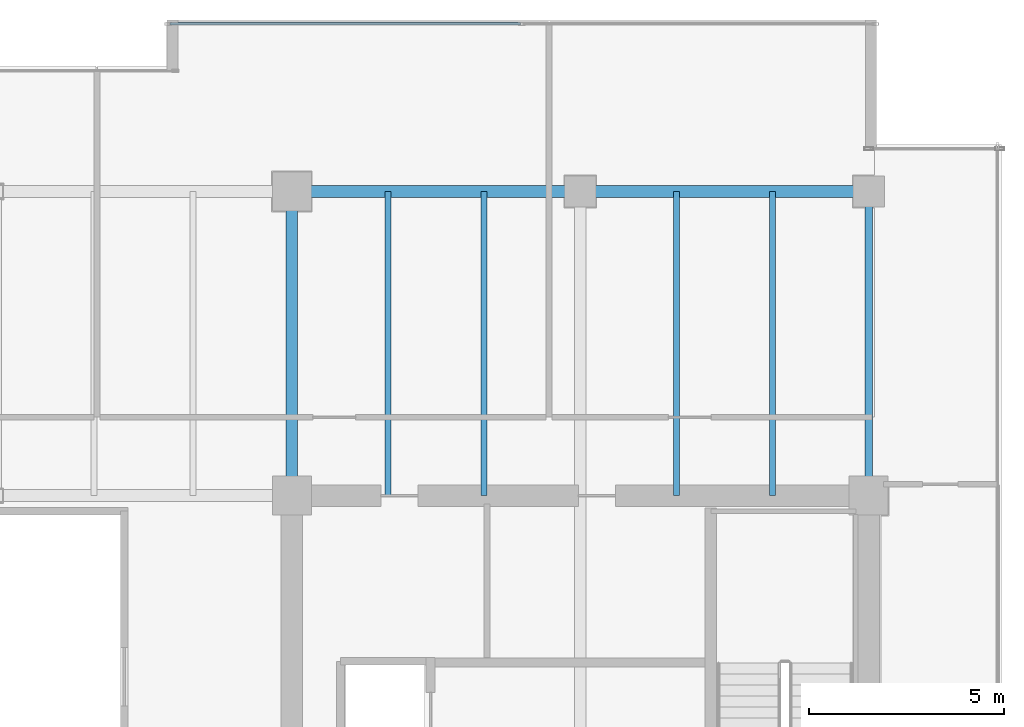
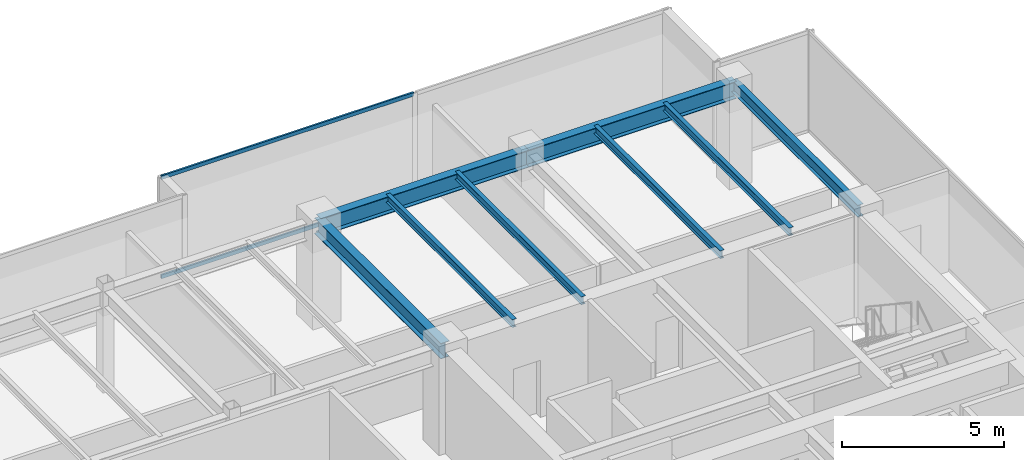
# One storey, part 20 of 35: 8 beams, 2 members, 1 element without a shape of its own.
"""IFC4 building model written with IfcOpenShell, lengths in metres."""

from ifc_helpers import new_model, si_unit, direction, frame, origin, origin_2d, place, context, subcontext, project, spatial, hollow_rectangle, i_section, extrude, source, transform, mapped, material, layer, layer_set, material_profile, profile_set, type_object, type_shapes, element, aggregate, save


model = new_model("IFC4")

# Units and contexts
model_context = context("Model", 3, precision=1e-05, world=origin(), true_north=direction((0.0, 1.0)))
body_context = subcontext(model_context, "Body", "Model", "MODEL_VIEW")
ifc_project = project(units=[si_unit("LENGTHUNIT", "METRE"), si_unit("AREAUNIT", "SQUARE_METRE"), si_unit("VOLUMEUNIT", "CUBIC_METRE"), si_unit("PLANEANGLEUNIT", "RADIAN"), si_unit("MASSUNIT", "GRAM", prefix="KILO")], contexts=[model_context])

# Site, building, storey
site_placement = place(None, origin())
site = spatial("IfcSite", under=ifc_project, at=site_placement, CompositionType="ELEMENT")
building_placement = place(site_placement, origin())
building = spatial("IfcBuilding", under=site, at=building_placement, Name="Haelvirn Gate Laboratories", CompositionType="ELEMENT")
storey_placement = place(building_placement, frame((0.0, 0.0, 234.199951171875)))
storey = spatial("IfcBuildingStorey", under=building, at=storey_placement, Name="L56", CompositionType="ELEMENT", Elevation=234.199951171875)

# Beams
ifc_material_1 = material(Name="Steel SM355", Category="steel")
ifc_material_profile_1 = material_profile(ifc_material_1, i_section(OverallWidth=0.14990234375, OverallDepth=0.300048828125, WebThickness=0.006591796875, FlangeThickness=0.009033203125, at=origin_2d()), Name="H-300x150x6.5x9")
ifc_profile_set_1 = profile_set([ifc_material_profile_1], Name="Steel SM355")
beam_type_1 = type_object("IfcBeamType", Name="BM-J-300", PredefinedType="JOIST", material=ifc_profile_set_1)
shared_shape_1 = source(origin(), body_context, "Body", "SweptSolid", [
    extrude(i_section(OverallWidth=0.14990234375, OverallDepth=0.300048828125, WebThickness=0.006591796875, FlangeThickness=0.009033203125, at=origin_2d()), origin(), (0.0, 0.0, 1.0), 7.800048828125),
])
type_shapes(beam_type_1, [shared_shape_1])
for number, where, z_axis, x_axis, name in (
    (1, (55.070068359375, 33.800048828125, 3.650146484375), (0.0, 1.0, 0.0), (-1.0, 0.0, 0.0), "L56 Composite Lab Joist North X55.07"),
    (2, (57.530029296875, 33.800048828125, 3.650146484375), (0.0, 1.0, 0.0), (-1.0, 0.0, 0.0), "L56 Composite Lab Joist North X57.53"),
    (3, (62.469970703125, 33.800048828125, 3.650146484375), (0.0, 1.0, 0.0), (-1.0, 0.0, 0.0), "L56 Composite Lab Joist North X62.47"),
    (4, (64.929931640625, 33.800048828125, 3.650146484375), (0.0, 1.0, 0.0), (-1.0, 0.0, 0.0), "L56 Composite Lab Joist North X64.93"),
):
    element("IfcBeam", number, at=place(storey_placement, frame(where, z_axis=z_axis, x_axis=x_axis)), inside=storey, type_object=beam_type_1, Name=name, PredefinedType="JOIST", context=body_context, shape_type="MappedRepresentation", body=[
        mapped(shared_shape_1, transform((0.0, 0.0, 0.0), scale=1.0)),
    ])
ifc_material_profile_2 = material_profile(ifc_material_1, i_section(OverallWidth=0.300048828125, OverallDepth=0.587890625, WebThickness=0.011962890625, FlangeThickness=0.02001953125, at=origin_2d()), Name="H-588x300x12x20")
ifc_profile_set_2 = profile_set([ifc_material_profile_2], Name="Steel SM355")
beam_type_2 = type_object("IfcBeamType", Name="BM-G-588", PredefinedType="BEAM", material=ifc_profile_set_2)
shared_shape_2 = source(origin(), body_context, "Body", "SweptSolid", [
    extrude(i_section(OverallWidth=0.300048828125, OverallDepth=0.587890625, WebThickness=0.011962890625, FlangeThickness=0.02001953125, at=origin_2d()), origin(), (0.0, 0.0, 1.0), 7.800048828125),
])
type_shapes(beam_type_2, [shared_shape_2])
beam_1_placement = place(storey_placement, frame((52.60009765625, 33.800048828125, 3.506103515625), z_axis=(0.0, 1.0, 0.0), x_axis=(-1.0, 0.0, 0.0)))
element("IfcBeam", 5, at=beam_1_placement, inside=storey, type_object=beam_type_2, Name="L56 Frame Girder X52.6 (33.8-41.6)", PredefinedType="BEAM", context=body_context, shape_type="MappedRepresentation", body=[
    mapped(shared_shape_2, transform((0.0, 0.0, 0.0), scale=1.0)),
])
ifc_material_profile_3 = material_profile(ifc_material_1, i_section(OverallWidth=0.300048828125, OverallDepth=0.64990234375, WebThickness=0.012939453125, FlangeThickness=0.02197265625, at=origin_2d()), Name="H-650x300x13x22")
ifc_profile_set_3 = profile_set([ifc_material_profile_3], Name="Steel SM355")
beam_type_3 = type_object("IfcBeamType", Name="BM-G-650", PredefinedType="BEAM", material=ifc_profile_set_3)
shared_shape_3 = source(origin(), body_context, "Body", "SweptSolid", [
    extrude(i_section(OverallWidth=0.300048828125, OverallDepth=0.64990234375, WebThickness=0.012939453125, FlangeThickness=0.02197265625, at=origin_2d()), origin(), (0.0, 0.0, 1.0), 7.39990234375),
])
type_shapes(beam_type_3, [shared_shape_3])
for number, where, z_axis, x_axis, name in (
    (6, (52.60009765625, 41.60009765625, 3.47509765625), (1.0, 0.0, 0.0), (0.0, 1.0, 0.0), "L56 Primary Girder Y41.6 (52.6-60.0)"),
    (7, (60.0, 41.60009765625, 3.47509765625), (1.0, 0.0, 0.0), (0.0, 1.0, 0.0), "L56 Primary Girder Y41.6 (60.0-67.4)"),
):
    element("IfcBeam", number, at=place(storey_placement, frame(where, z_axis=z_axis, x_axis=x_axis)), inside=storey, type_object=beam_type_3, Name=name, PredefinedType="BEAM", context=body_context, shape_type="MappedRepresentation", body=[
        mapped(shared_shape_3, transform((0.0, 0.0, 0.0), scale=1.0)),
    ])
ifc_material_profile_4 = material_profile(ifc_material_1, i_section(OverallWidth=0.199951171875, OverallDepth=0.449951171875, WebThickness=0.009033203125, FlangeThickness=0.013916015625, at=origin_2d()), Name="H-450x200x9x14")
ifc_profile_set_4 = profile_set([ifc_material_profile_4], Name="Steel SM355")
beam_type_4 = type_object("IfcBeamType", Name="BM-SP-450", PredefinedType="SPANDREL", material=ifc_profile_set_4)
shared_shape_4 = source(origin(), body_context, "Body", "SweptSolid", [
    extrude(i_section(OverallWidth=0.199951171875, OverallDepth=0.449951171875, WebThickness=0.009033203125, FlangeThickness=0.013916015625, at=origin_2d()), origin(), (0.0, 0.0, 1.0), 7.800048828125),
])
type_shapes(beam_type_4, [shared_shape_4])
beam_2_placement = place(storey_placement, frame((67.39990234375, 33.800048828125, 3.574951171875), z_axis=(0.0, 1.0, 0.0), x_axis=(-1.0, 0.0, 0.0)))
element("IfcBeam", 8, at=beam_2_placement, inside=storey, type_object=beam_type_4, Name="L56 Perimeter Spandrel X67.4 (33.8-41.6)", PredefinedType="SPANDREL", context=body_context, shape_type="MappedRepresentation", body=[
    mapped(shared_shape_4, transform((0.0, 0.0, 0.0), scale=1.0)),
])

# Curtain wall, members
ifc_material_2 = material(Name="Anodised bronze unitised aluminium & triple low-E glass", Category="aluminium")
ifc_layer = layer(ifc_material_2, 0.176025390625, Name="CW-SYS-4")
ifc_layer_set = layer_set([ifc_layer], Name="Anodised bronze unitised aluminium & triple low-E glass")
curtain_wall_type = type_object("IfcCurtainWallType", Name="CW-SYS-4", PredefinedType="NOTDEFINED", material=ifc_layer_set)
curtain_wall_placement = place(storey_placement, origin())
curtain_wall = element("IfcCurtainWall", 9, at=curtain_wall_placement, inside=storey, type_object=curtain_wall_type, Name="L56 Unitised Curtain Wall CW-L56-P0-E10-1", PredefinedType="NOTDEFINED")
ifc_material_3 = material(Name="Extruded aluminium 6063-T6 (anodised bronze)", Category="aluminium")
ifc_material_profile_5 = material_profile(ifc_material_3, hollow_rectangle(XDim=0.06494140625, YDim=0.139892578125, WallThickness=0.00390625, at=origin_2d()), Name="CWT-140x65x4")
ifc_profile_set_5 = profile_set([ifc_material_profile_5], Name="Extruded aluminium 6063-T6 (anodised bronze)")
member_type = type_object("IfcMemberType", Name="CWT-T140", PredefinedType="USERDEFINED", material=ifc_profile_set_5)
shared_shape_5 = source(origin(), body_context, "Body", "SweptSolid", [
    extrude(hollow_rectangle(XDim=0.06494140625, YDim=0.139892578125, WallThickness=0.00390625, at=origin_2d()), origin(), (0.0, 0.0, 1.0), 8.9951171875),
])
type_shapes(member_type, [shared_shape_5])
member_1_placement = place(storey_placement, frame((49.469970703125, 45.89990234375, 0.032470703125), z_axis=(1.0, 0.0, 0.0), x_axis=(0.0, 1.0, 0.0)))
member_1 = element("IfcMember", 10, at=member_1_placement, type_object=member_type, Name="CW4 transom 1.1", ObjectType="TRANSOM", PredefinedType="USERDEFINED", context=body_context, shape_type="MappedRepresentation", body=[
    mapped(shared_shape_5, transform((0.0, 0.0, 0.0), scale=1.0)),
])
member_2_placement = place(storey_placement, frame((49.469970703125, 45.89990234375, 3.767578125), z_axis=(1.0, 0.0, 0.0), x_axis=(0.0, 1.0, 0.0)))
member_2 = element("IfcMember", 11, at=member_2_placement, type_object=member_type, Name="CW4 transom 1.2", ObjectType="TRANSOM", PredefinedType="USERDEFINED", context=body_context, shape_type="MappedRepresentation", body=[
    mapped(shared_shape_5, transform((0.0, 0.0, 0.0), scale=1.0)),
])
aggregate(curtain_wall, [member_1, member_2])

save(model, "model.ifc")
